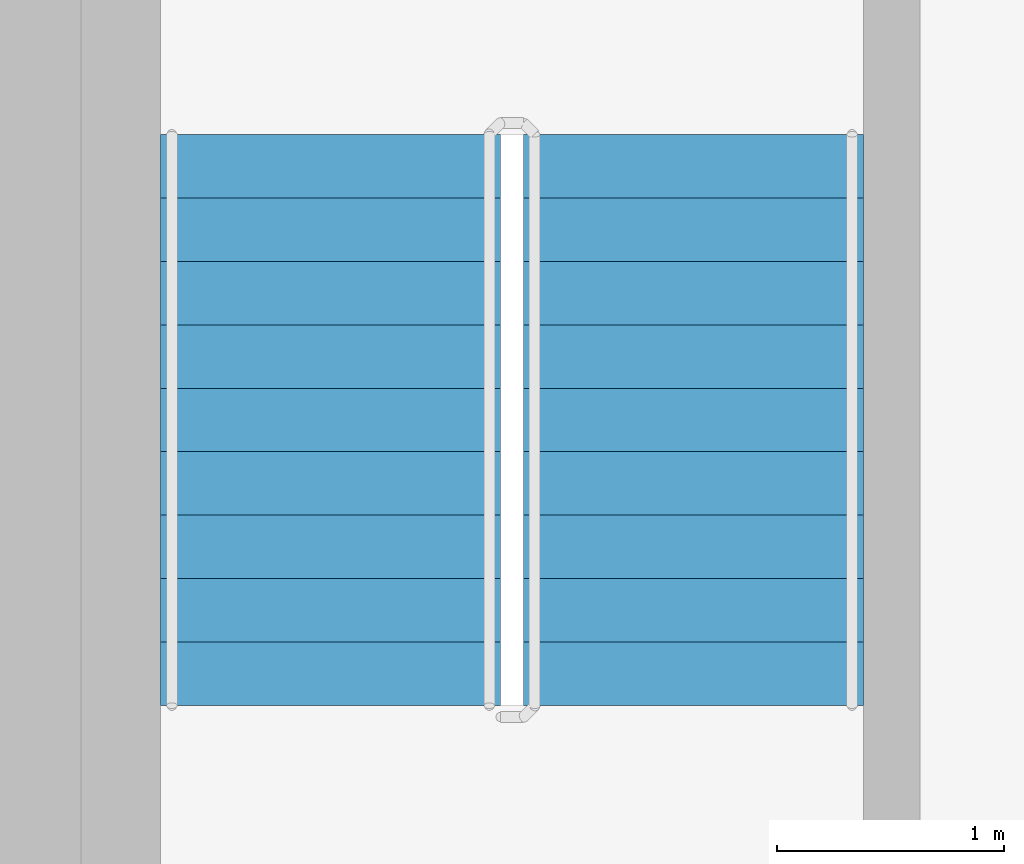
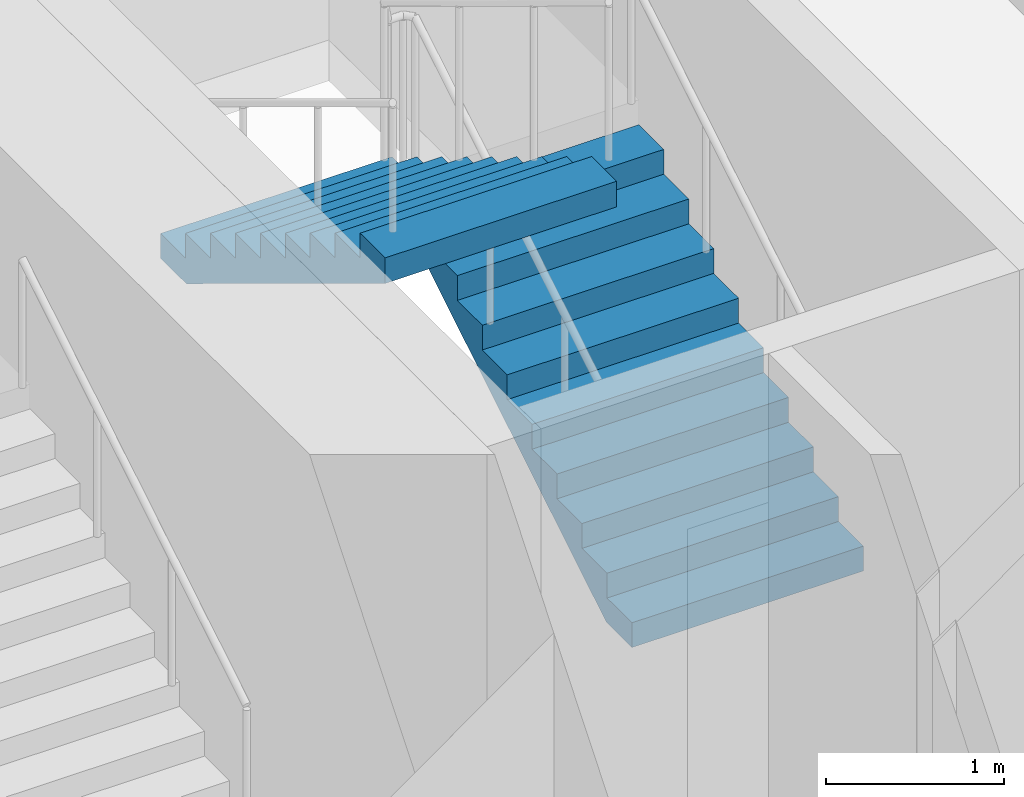
# One storey, part 14 of 23: 2 stair flights, 1 element without a shape of its own.
"""IFC4 building model written with IfcOpenShell, lengths in metres."""

from ifc_helpers import new_model, si_unit, direction, frame, origin, place, context, subcontext, project, spatial, triangles, source, transform, mapped, material, type_object, element, aggregate, save


model = new_model("IFC4")

# Units and contexts
model_context = context("Model", 3, precision=1e-05, world=origin(), true_north=direction((0.0, 1.0)))
body_context = subcontext(model_context, "Body", "Model", "MODEL_VIEW")
ifc_project = project(units=[si_unit("LENGTHUNIT", "METRE"), si_unit("AREAUNIT", "SQUARE_METRE"), si_unit("VOLUMEUNIT", "CUBIC_METRE"), si_unit("PLANEANGLEUNIT", "RADIAN"), si_unit("MASSUNIT", "GRAM", prefix="KILO")], contexts=[model_context])

# Site, building, storey
site_placement = place(None, origin())
site = spatial("IfcSite", under=ifc_project, at=site_placement, CompositionType="ELEMENT")
building_placement = place(site_placement, origin())
building = spatial("IfcBuilding", under=site, at=building_placement, Name="Kilnfold Tower and Market Hall", CompositionType="ELEMENT")
storey_placement = place(building_placement, frame((0.0, 0.0, 150.699951171875)))
storey = spatial("IfcBuildingStorey", under=building, at=storey_placement, Name="L34", CompositionType="ELEMENT", Elevation=150.699951171875)

# Stair, stair flights
ifc_material_1 = material(Name="Concrete C40/50", Category="concrete")
stair_type = type_object("IfcStairType", Name="CORE STAIR 1500", PredefinedType="HALF_TURN_STAIR", material=ifc_material_1)
stair_placement = place(storey_placement, origin())
stair = element("IfcStair", 1, at=stair_placement, inside=storey, type_object=stair_type, Name="L34 ST5", PredefinedType="HALF_TURN_STAIR")
ifc_material_2 = material(Name="Concrete C40/50", Category="concrete")
stair_flight_type = type_object("IfcStairFlightType", Name="CORE STAIR FLIGHT 1500", PredefinedType="STRAIGHT", material=ifc_material_2)
shared_shape = source(origin(), body_context, "Body", "Tessellation", [
    triangles([(0.0, 0.75, 0.0), (0.0, 0.65625, 0.0), (0.0, 0.5625, 0.0), (0.0, 0.46875, 0.0), (0.0, 0.375, 0.0), (0.0, 0.28125, 0.0), (0.0, 0.1875, 0.0), (0.0, 0.09375, 0.0), (0.0, 0.0, 0.0), (0.0, -0.09375, 0.0), (0.0, -0.1875, 0.0), (0.0, -0.28125, 0.0), (0.0, -0.375, 0.0), (0.0, -0.46875, 0.0), (0.0, -0.5625, 0.0), (0.0, -0.65625, 0.0), (0.0, -0.75, 0.0), (0.0, 0.75, 0.169921875), (0.0, 0.65625, 0.169921875), (0.0, 0.5625, 0.169921875), (0.0, 0.46875, 0.169921875), (0.0, 0.375, 0.169921875), (0.0, 0.28125, 0.169921875), (0.0, 0.1875, 0.169921875), (0.0, 0.09375, 0.169921875), (0.0, 0.0, 0.169921875), (0.0, -0.09375, 0.169921875), (0.0, -0.1875, 0.169921875), (0.0, -0.28125, 0.169921875), (0.0, -0.375, 0.169921875), (0.0, -0.46875, 0.169921875), (0.0, -0.5625, 0.169921875), (0.0, -0.65625, 0.169921875), (0.0, -0.75, 0.169921875), (0.280029296875, 0.75, 0.169921875), (0.280029296875, 0.65625, 0.169921875), (0.280029296875, 0.5625, 0.169921875), (0.280029296875, 0.46875, 0.169921875), (0.280029296875, 0.375, 0.169921875), (0.280029296875, 0.28125, 0.169921875), (0.280029296875, 0.1875, 0.169921875), (0.280029296875, 0.09375, 0.169921875), (0.280029296875, 0.0, 0.169921875), (0.280029296875, -0.09375, 0.169921875), (0.280029296875, -0.1875, 0.169921875), (0.280029296875, -0.28125, 0.169921875), (0.280029296875, -0.375, 0.169921875), (0.280029296875, -0.46875, 0.169921875), (0.280029296875, -0.5625, 0.169921875), (0.280029296875, -0.65625, 0.169921875), (0.280029296875, -0.75, 0.169921875), (0.280029296875, 0.75, 0.340087890625), (0.280029296875, 0.65625, 0.340087890625), (0.280029296875, 0.5625, 0.340087890625), (0.280029296875, 0.46875, 0.340087890625), (0.280029296875, 0.375, 0.340087890625), (0.280029296875, 0.28125, 0.340087890625), (0.280029296875, 0.1875, 0.340087890625), (0.280029296875, 0.09375, 0.340087890625), (0.280029296875, 0.0, 0.340087890625), (0.280029296875, -0.09375, 0.340087890625), (0.280029296875, -0.1875, 0.340087890625), (0.280029296875, -0.28125, 0.340087890625), (0.280029296875, -0.375, 0.340087890625), (0.280029296875, -0.46875, 0.340087890625), (0.280029296875, -0.5625, 0.340087890625), (0.280029296875, -0.65625, 0.340087890625), (0.280029296875, -0.75, 0.340087890625), (0.56005859375, 0.75, 0.340087890625), (0.56005859375, 0.65625, 0.340087890625), (0.56005859375, 0.5625, 0.340087890625), (0.56005859375, 0.46875, 0.340087890625), (0.56005859375, 0.375, 0.340087890625), (0.56005859375, 0.28125, 0.340087890625), (0.56005859375, 0.1875, 0.340087890625), (0.56005859375, 0.09375, 0.340087890625), (0.56005859375, 0.0, 0.340087890625), (0.56005859375, -0.09375, 0.340087890625), (0.56005859375, -0.1875, 0.340087890625), (0.56005859375, -0.28125, 0.340087890625), (0.56005859375, -0.375, 0.340087890625), (0.56005859375, -0.46875, 0.340087890625), (0.56005859375, -0.5625, 0.340087890625), (0.56005859375, -0.65625, 0.340087890625), (0.56005859375, -0.75, 0.340087890625), (0.56005859375, 0.75, 0.510009765625), (0.56005859375, 0.65625, 0.510009765625), (0.56005859375, 0.5625, 0.510009765625), (0.56005859375, 0.46875, 0.510009765625), (0.56005859375, 0.375, 0.510009765625), (0.56005859375, 0.28125, 0.510009765625), (0.56005859375, 0.1875, 0.510009765625), (0.56005859375, 0.09375, 0.510009765625), (0.56005859375, 0.0, 0.510009765625), (0.56005859375, -0.09375, 0.510009765625), (0.56005859375, -0.1875, 0.510009765625), (0.56005859375, -0.28125, 0.510009765625), (0.56005859375, -0.375, 0.510009765625), (0.56005859375, -0.46875, 0.510009765625), (0.56005859375, -0.5625, 0.510009765625), (0.56005859375, -0.65625, 0.510009765625), (0.56005859375, -0.75, 0.510009765625), (0.840087890625, 0.75, 0.510009765625), (0.840087890625, 0.65625, 0.510009765625), (0.840087890625, 0.5625, 0.510009765625), (0.840087890625, 0.46875, 0.510009765625), (0.840087890625, 0.375, 0.510009765625), (0.840087890625, 0.28125, 0.510009765625), (0.840087890625, 0.1875, 0.510009765625), (0.840087890625, 0.09375, 0.510009765625), (0.840087890625, 0.0, 0.510009765625), (0.840087890625, -0.09375, 0.510009765625), (0.840087890625, -0.1875, 0.510009765625), (0.840087890625, -0.28125, 0.510009765625), (0.840087890625, -0.375, 0.510009765625), (0.840087890625, -0.46875, 0.510009765625), (0.840087890625, -0.5625, 0.510009765625), (0.840087890625, -0.65625, 0.510009765625), (0.840087890625, -0.75, 0.510009765625), (0.840087890625, 0.75, 0.679931640625), (0.840087890625, 0.65625, 0.679931640625), (0.840087890625, 0.5625, 0.679931640625), (0.840087890625, 0.46875, 0.679931640625), (0.840087890625, 0.375, 0.679931640625), (0.840087890625, 0.28125, 0.679931640625), (0.840087890625, 0.1875, 0.679931640625), (0.840087890625, 0.09375, 0.679931640625), (0.840087890625, 0.0, 0.679931640625), (0.840087890625, -0.09375, 0.679931640625), (0.840087890625, -0.1875, 0.679931640625), (0.840087890625, -0.28125, 0.679931640625), (0.840087890625, -0.375, 0.679931640625), (0.840087890625, -0.46875, 0.679931640625), (0.840087890625, -0.5625, 0.679931640625), (0.840087890625, -0.65625, 0.679931640625), (0.840087890625, -0.75, 0.679931640625), (1.1201171875, 0.75, 0.679931640625), (1.1201171875, 0.65625, 0.679931640625), (1.1201171875, 0.5625, 0.679931640625), (1.1201171875, 0.46875, 0.679931640625), (1.1201171875, 0.375, 0.679931640625), (1.1201171875, 0.28125, 0.679931640625), (1.1201171875, 0.1875, 0.679931640625), (1.1201171875, 0.09375, 0.679931640625), (1.1201171875, 0.0, 0.679931640625), (1.1201171875, -0.09375, 0.679931640625), (1.1201171875, -0.1875, 0.679931640625), (1.1201171875, -0.28125, 0.679931640625), (1.1201171875, -0.375, 0.679931640625), (1.1201171875, -0.46875, 0.679931640625), (1.1201171875, -0.5625, 0.679931640625), (1.1201171875, -0.65625, 0.679931640625), (1.1201171875, -0.75, 0.679931640625), (1.1201171875, 0.75, 0.85009765625), (1.1201171875, 0.65625, 0.85009765625), (1.1201171875, 0.5625, 0.85009765625), (1.1201171875, 0.46875, 0.85009765625), (1.1201171875, 0.375, 0.85009765625), (1.1201171875, 0.28125, 0.85009765625), (1.1201171875, 0.1875, 0.85009765625), (1.1201171875, 0.09375, 0.85009765625), (1.1201171875, 0.0, 0.85009765625), (1.1201171875, -0.09375, 0.85009765625), (1.1201171875, -0.1875, 0.85009765625), (1.1201171875, -0.28125, 0.85009765625), (1.1201171875, -0.375, 0.85009765625), (1.1201171875, -0.46875, 0.85009765625), (1.1201171875, -0.5625, 0.85009765625), (1.1201171875, -0.65625, 0.85009765625), (1.1201171875, -0.75, 0.85009765625), (1.39990234375, 0.75, 0.85009765625), (1.39990234375, 0.65625, 0.85009765625), (1.39990234375, 0.5625, 0.85009765625), (1.39990234375, 0.46875, 0.85009765625), (1.39990234375, 0.375, 0.85009765625), (1.39990234375, 0.28125, 0.85009765625), (1.39990234375, 0.1875, 0.85009765625), (1.39990234375, 0.09375, 0.85009765625), (1.39990234375, 0.0, 0.85009765625), (1.39990234375, -0.09375, 0.85009765625), (1.39990234375, -0.1875, 0.85009765625), (1.39990234375, -0.28125, 0.85009765625), (1.39990234375, -0.375, 0.85009765625), (1.39990234375, -0.46875, 0.85009765625), (1.39990234375, -0.5625, 0.85009765625), (1.39990234375, -0.65625, 0.85009765625), (1.39990234375, -0.75, 0.85009765625), (1.39990234375, 0.75, 1.02001953125), (1.39990234375, 0.65625, 1.02001953125), (1.39990234375, 0.5625, 1.02001953125), (1.39990234375, 0.46875, 1.02001953125), (1.39990234375, 0.375, 1.02001953125), (1.39990234375, 0.28125, 1.02001953125), (1.39990234375, 0.1875, 1.02001953125), (1.39990234375, 0.09375, 1.02001953125), (1.39990234375, 0.0, 1.02001953125), (1.39990234375, -0.09375, 1.02001953125), (1.39990234375, -0.1875, 1.02001953125), (1.39990234375, -0.28125, 1.02001953125), (1.39990234375, -0.375, 1.02001953125), (1.39990234375, -0.46875, 1.02001953125), (1.39990234375, -0.5625, 1.02001953125), (1.39990234375, -0.65625, 1.02001953125), (1.39990234375, -0.75, 1.02001953125), (1.679931640625, 0.75, 1.02001953125), (1.679931640625, 0.65625, 1.02001953125), (1.679931640625, 0.5625, 1.02001953125), (1.679931640625, 0.46875, 1.02001953125), (1.679931640625, 0.375, 1.02001953125), (1.679931640625, 0.28125, 1.02001953125), (1.679931640625, 0.1875, 1.02001953125), (1.679931640625, 0.09375, 1.02001953125), (1.679931640625, 0.0, 1.02001953125), (1.679931640625, -0.09375, 1.02001953125), (1.679931640625, -0.1875, 1.02001953125), (1.679931640625, -0.28125, 1.02001953125), (1.679931640625, -0.375, 1.02001953125), (1.679931640625, -0.46875, 1.02001953125), (1.679931640625, -0.5625, 1.02001953125), (1.679931640625, -0.65625, 1.02001953125), (1.679931640625, -0.75, 1.02001953125), (1.679931640625, 0.75, 1.18994140625), (1.679931640625, 0.65625, 1.18994140625), (1.679931640625, 0.5625, 1.18994140625), (1.679931640625, 0.46875, 1.18994140625), (1.679931640625, 0.375, 1.18994140625), (1.679931640625, 0.28125, 1.18994140625), (1.679931640625, 0.1875, 1.18994140625), (1.679931640625, 0.09375, 1.18994140625), (1.679931640625, 0.0, 1.18994140625), (1.679931640625, -0.09375, 1.18994140625), (1.679931640625, -0.1875, 1.18994140625), (1.679931640625, -0.28125, 1.18994140625), (1.679931640625, -0.375, 1.18994140625), (1.679931640625, -0.46875, 1.18994140625), (1.679931640625, -0.5625, 1.18994140625), (1.679931640625, -0.65625, 1.18994140625), (1.679931640625, -0.75, 1.18994140625), (1.9599609375, 0.75, 1.18994140625), (1.9599609375, 0.65625, 1.18994140625), (1.9599609375, 0.5625, 1.18994140625), (1.9599609375, 0.46875, 1.18994140625), (1.9599609375, 0.375, 1.18994140625), (1.9599609375, 0.28125, 1.18994140625), (1.9599609375, 0.1875, 1.18994140625), (1.9599609375, 0.09375, 1.18994140625), (1.9599609375, 0.0, 1.18994140625), (1.9599609375, -0.09375, 1.18994140625), (1.9599609375, -0.1875, 1.18994140625), (1.9599609375, -0.28125, 1.18994140625), (1.9599609375, -0.375, 1.18994140625), (1.9599609375, -0.46875, 1.18994140625), (1.9599609375, -0.5625, 1.18994140625), (1.9599609375, -0.65625, 1.18994140625), (1.9599609375, -0.75, 1.18994140625), (1.9599609375, 0.75, 1.360107421875), (1.9599609375, 0.65625, 1.360107421875), (1.9599609375, 0.5625, 1.360107421875), (1.9599609375, 0.46875, 1.360107421875), (1.9599609375, 0.375, 1.360107421875), (1.9599609375, 0.28125, 1.360107421875), (1.9599609375, 0.1875, 1.360107421875), (1.9599609375, 0.09375, 1.360107421875), (1.9599609375, 0.0, 1.360107421875), (1.9599609375, -0.09375, 1.360107421875), (1.9599609375, -0.1875, 1.360107421875), (1.9599609375, -0.28125, 1.360107421875), (1.9599609375, -0.375, 1.360107421875), (1.9599609375, -0.46875, 1.360107421875), (1.9599609375, -0.5625, 1.360107421875), (1.9599609375, -0.65625, 1.360107421875), (1.9599609375, -0.75, 1.360107421875), (2.239990234375, 0.75, 1.360107421875), (2.239990234375, 0.65625, 1.360107421875), (2.239990234375, 0.5625, 1.360107421875), (2.239990234375, 0.46875, 1.360107421875), (2.239990234375, 0.375, 1.360107421875), (2.239990234375, 0.28125, 1.360107421875), (2.239990234375, 0.1875, 1.360107421875), (2.239990234375, 0.09375, 1.360107421875), (2.239990234375, 0.0, 1.360107421875), (2.239990234375, -0.09375, 1.360107421875), (2.239990234375, -0.1875, 1.360107421875), (2.239990234375, -0.28125, 1.360107421875), (2.239990234375, -0.375, 1.360107421875), (2.239990234375, -0.46875, 1.360107421875), (2.239990234375, -0.5625, 1.360107421875), (2.239990234375, -0.65625, 1.360107421875), (2.239990234375, -0.75, 1.360107421875), (2.239990234375, 0.75, 1.530029296875), (2.239990234375, 0.65625, 1.530029296875), (2.239990234375, 0.5625, 1.530029296875), (2.239990234375, 0.46875, 1.530029296875), (2.239990234375, 0.375, 1.530029296875), (2.239990234375, 0.28125, 1.530029296875), (2.239990234375, 0.1875, 1.530029296875), (2.239990234375, 0.09375, 1.530029296875), (2.239990234375, 0.0, 1.530029296875), (2.239990234375, -0.09375, 1.530029296875), (2.239990234375, -0.1875, 1.530029296875), (2.239990234375, -0.28125, 1.530029296875), (2.239990234375, -0.375, 1.530029296875), (2.239990234375, -0.46875, 1.530029296875), (2.239990234375, -0.5625, 1.530029296875), (2.239990234375, -0.65625, 1.530029296875), (2.239990234375, -0.75, 1.530029296875), (2.52001953125, 0.75, 1.530029296875), (2.52001953125, 0.65625, 1.530029296875), (2.52001953125, 0.5625, 1.530029296875), (2.52001953125, 0.46875, 1.530029296875), (2.52001953125, 0.375, 1.530029296875), (2.52001953125, 0.28125, 1.530029296875), (2.52001953125, 0.1875, 1.530029296875), (2.52001953125, 0.09375, 1.530029296875), (2.52001953125, 0.0, 1.530029296875), (2.52001953125, -0.09375, 1.530029296875), (2.52001953125, -0.1875, 1.530029296875), (2.52001953125, -0.28125, 1.530029296875), (2.52001953125, -0.375, 1.530029296875), (2.52001953125, -0.46875, 1.530029296875), (2.52001953125, -0.5625, 1.530029296875), (2.52001953125, -0.65625, 1.530029296875), (2.52001953125, -0.75, 1.530029296875), (2.52001953125, 0.75, 1.354736328125), (2.52001953125, 0.65625, 1.354736328125), (2.52001953125, 0.5625, 1.354736328125), (2.52001953125, 0.46875, 1.354736328125), (2.52001953125, 0.375, 1.354736328125), (2.52001953125, 0.28125, 1.354736328125), (2.52001953125, 0.1875, 1.354736328125), (2.52001953125, 0.09375, 1.354736328125), (2.52001953125, 0.0, 1.354736328125), (2.52001953125, -0.09375, 1.354736328125), (2.52001953125, -0.1875, 1.354736328125), (2.52001953125, -0.28125, 1.354736328125), (2.52001953125, -0.375, 1.354736328125), (2.52001953125, -0.46875, 1.354736328125), (2.52001953125, -0.5625, 1.354736328125), (2.52001953125, -0.65625, 1.354736328125), (2.52001953125, -0.75, 1.354736328125), (0.288818359375, 0.75, 0.0), (0.288818359375, 0.65625, 0.0), (0.288818359375, 0.5625, 0.0), (0.288818359375, 0.46875, 0.0), (0.288818359375, 0.375, 0.0), (0.288818359375, 0.28125, 0.0), (0.288818359375, 0.1875, 0.0), (0.288818359375, 0.09375, 0.0), (0.288818359375, 0.0, 0.0), (0.288818359375, -0.09375, 0.0), (0.288818359375, -0.1875, 0.0), (0.288818359375, -0.28125, 0.0), (0.288818359375, -0.375, 0.0), (0.288818359375, -0.46875, 0.0), (0.288818359375, -0.5625, 0.0), (0.288818359375, -0.65625, 0.0), (0.288818359375, -0.75, 0.0)], [[1, 324, 341], [17, 357, 340], [324, 290, 307], [340, 323, 306], [324, 273, 290], [340, 306, 289], [324, 256, 273], [340, 289, 272], [324, 239, 256], [340, 272, 255], [239, 205, 222], [255, 238, 221], [324, 205, 239], [340, 255, 221], [205, 171, 188], [221, 204, 187], [324, 171, 205], [340, 221, 187], [171, 137, 154], [187, 170, 153], [324, 137, 171], [340, 187, 153], [137, 103, 120], [153, 136, 119], [324, 103, 137], [340, 153, 119], [103, 69, 86], [119, 102, 85], [324, 69, 103], [340, 119, 85], [69, 35, 52], [85, 68, 51], [324, 35, 69], [340, 85, 51], [1, 35, 324], [17, 340, 51], [35, 1, 18], [51, 34, 17], [1, 19, 18], [1, 2, 19], [2, 20, 19], [2, 3, 20], [3, 21, 20], [3, 4, 21], [4, 22, 21], [4, 5, 22], [5, 23, 22], [5, 6, 23], [6, 24, 23], [6, 7, 24], [7, 25, 24], [7, 8, 25], [8, 26, 25], [8, 9, 26], [9, 27, 26], [9, 10, 27], [10, 28, 27], [10, 11, 28], [11, 29, 28], [11, 12, 29], [12, 30, 29], [12, 13, 30], [13, 31, 30], [13, 14, 31], [14, 32, 31], [14, 15, 32], [15, 33, 32], [15, 16, 33], [16, 34, 33], [16, 17, 34], [18, 36, 35], [18, 19, 36], [19, 37, 36], [19, 20, 37], [20, 38, 37], [20, 21, 38], [21, 39, 38], [21, 22, 39], [22, 40, 39], [22, 23, 40], [23, 41, 40], [23, 24, 41], [24, 42, 41], [24, 25, 42], [25, 43, 42], [25, 26, 43], [26, 44, 43], [26, 27, 44], [27, 45, 44], [27, 28, 45], [28, 46, 45], [28, 29, 46], [29, 47, 46], [29, 30, 47], [30, 48, 47], [30, 31, 48], [31, 49, 48], [31, 32, 49], [32, 50, 49], [32, 33, 50], [33, 51, 50], [33, 34, 51], [35, 53, 52], [35, 36, 53], [36, 54, 53], [36, 37, 54], [37, 55, 54], [37, 38, 55], [38, 56, 55], [38, 39, 56], [39, 57, 56], [39, 40, 57], [40, 58, 57], [40, 41, 58], [41, 59, 58], [41, 42, 59], [42, 60, 59], [42, 43, 60], [43, 61, 60], [43, 44, 61], [44, 62, 61], [44, 45, 62], [45, 63, 62], [45, 46, 63], [46, 64, 63], [46, 47, 64], [47, 65, 64], [47, 48, 65], [48, 66, 65], [48, 49, 66], [49, 67, 66], [49, 50, 67], [50, 68, 67], [50, 51, 68], [52, 70, 69], [52, 53, 70], [53, 71, 70], [53, 54, 71], [54, 72, 71], [54, 55, 72], [55, 73, 72], [55, 56, 73], [56, 74, 73], [56, 57, 74], [57, 75, 74], [57, 58, 75], [58, 76, 75], [58, 59, 76], [59, 77, 76], [59, 60, 77], [60, 78, 77], [60, 61, 78], [61, 79, 78], [61, 62, 79], [62, 80, 79], [62, 63, 80], [63, 81, 80], [63, 64, 81], [64, 82, 81], [64, 65, 82], [65, 83, 82], [65, 66, 83], [66, 84, 83], [66, 67, 84], [67, 85, 84], [67, 68, 85], [69, 87, 86], [69, 70, 87], [70, 88, 87], [70, 71, 88], [71, 89, 88], [71, 72, 89], [72, 90, 89], [72, 73, 90], [73, 91, 90], [73, 74, 91], [74, 92, 91], [74, 75, 92], [75, 93, 92], [75, 76, 93], [76, 94, 93], [76, 77, 94], [77, 95, 94], [77, 78, 95], [78, 96, 95], [78, 79, 96], [79, 97, 96], [79, 80, 97], [80, 98, 97], [80, 81, 98], [81, 99, 98], [81, 82, 99], [82, 100, 99], [82, 83, 100], [83, 101, 100], [83, 84, 101], [84, 102, 101], [84, 85, 102], [86, 104, 103], [86, 87, 104], [87, 105, 104], [87, 88, 105], [88, 106, 105], [88, 89, 106], [89, 107, 106], [89, 90, 107], [90, 108, 107], [90, 91, 108], [91, 109, 108], [91, 92, 109], [92, 110, 109], [92, 93, 110], [93, 111, 110], [93, 94, 111], [94, 112, 111], [94, 95, 112], [95, 113, 112], [95, 96, 113], [96, 114, 113], [96, 97, 114], [97, 115, 114], [97, 98, 115], [98, 116, 115], [98, 99, 116], [99, 117, 116], [99, 100, 117], [100, 118, 117], [100, 101, 118], [101, 119, 118], [101, 102, 119], [103, 121, 120], [103, 104, 121], [104, 122, 121], [104, 105, 122], [105, 123, 122], [105, 106, 123], [106, 124, 123], [106, 107, 124], [107, 125, 124], [107, 108, 125], [108, 126, 125], [108, 109, 126], [109, 127, 126], [109, 110, 127], [110, 128, 127], [110, 111, 128], [111, 129, 128], [111, 112, 129], [112, 130, 129], [112, 113, 130], [113, 131, 130], [113, 114, 131], [114, 132, 131], [114, 115, 132], [115, 133, 132], [115, 116, 133], [116, 134, 133], [116, 117, 134], [117, 135, 134], [117, 118, 135], [118, 136, 135], [118, 119, 136], [120, 138, 137], [120, 121, 138], [121, 139, 138], [121, 122, 139], [122, 140, 139], [122, 123, 140], [123, 141, 140], [123, 124, 141], [124, 142, 141], [124, 125, 142], [125, 143, 142], [125, 126, 143], [126, 144, 143], [126, 127, 144], [127, 145, 144], [127, 128, 145], [128, 146, 145], [128, 129, 146], [129, 147, 146], [129, 130, 147], [130, 148, 147], [130, 131, 148], [131, 149, 148], [131, 132, 149], [132, 150, 149], [132, 133, 150], [133, 151, 150], [133, 134, 151], [134, 152, 151], [134, 135, 152], [135, 153, 152], [135, 136, 153], [137, 155, 154], [137, 138, 155], [138, 156, 155], [138, 139, 156], [139, 157, 156], [139, 140, 157], [140, 158, 157], [140, 141, 158], [141, 159, 158], [141, 142, 159], [142, 160, 159], [142, 143, 160], [143, 161, 160], [143, 144, 161], [144, 162, 161], [144, 145, 162], [145, 163, 162], [145, 146, 163], [146, 164, 163], [146, 147, 164], [147, 165, 164], [147, 148, 165], [148, 166, 165], [148, 149, 166], [149, 167, 166], [149, 150, 167], [150, 168, 167], [150, 151, 168], [151, 169, 168], [151, 152, 169], [152, 170, 169], [152, 153, 170], [154, 172, 171], [154, 155, 172], [155, 173, 172], [155, 156, 173], [156, 174, 173], [156, 157, 174], [157, 175, 174], [157, 158, 175], [158, 176, 175], [158, 159, 176], [159, 177, 176], [159, 160, 177], [160, 178, 177], [160, 161, 178], [161, 179, 178], [161, 162, 179], [162, 180, 179], [162, 163, 180], [163, 181, 180], [163, 164, 181], [164, 182, 181], [164, 165, 182], [165, 183, 182], [165, 166, 183], [166, 184, 183], [166, 167, 184], [167, 185, 184], [167, 168, 185], [168, 186, 185], [168, 169, 186], [169, 187, 186], [169, 170, 187], [171, 189, 188], [171, 172, 189], [172, 190, 189], [172, 173, 190], [173, 191, 190], [173, 174, 191], [174, 192, 191], [174, 175, 192], [175, 193, 192], [175, 176, 193], [176, 194, 193], [176, 177, 194], [177, 195, 194], [177, 178, 195], [178, 196, 195], [178, 179, 196], [179, 197, 196], [179, 180, 197], [180, 198, 197], [180, 181, 198], [181, 199, 198], [181, 182, 199], [182, 200, 199], [182, 183, 200], [183, 201, 200], [183, 184, 201], [184, 202, 201], [184, 185, 202], [185, 203, 202], [185, 186, 203], [186, 204, 203], [186, 187, 204], [188, 206, 205], [188, 189, 206], [189, 207, 206], [189, 190, 207], [190, 208, 207], [190, 191, 208], [191, 209, 208], [191, 192, 209], [192, 210, 209], [192, 193, 210], [193, 211, 210], [193, 194, 211], [194, 212, 211], [194, 195, 212], [195, 213, 212], [195, 196, 213], [196, 214, 213], [196, 197, 214], [197, 215, 214], [197, 198, 215], [198, 216, 215], [198, 199, 216], [199, 217, 216], [199, 200, 217], [200, 218, 217], [200, 201, 218], [201, 219, 218], [201, 202, 219], [202, 220, 219], [202, 203, 220], [203, 221, 220], [203, 204, 221], [205, 223, 222], [205, 206, 223], [206, 224, 223], [206, 207, 224], [207, 225, 224], [207, 208, 225], [208, 226, 225], [208, 209, 226], [209, 227, 226], [209, 210, 227], [210, 228, 227], [210, 211, 228], [211, 229, 228], [211, 212, 229], [212, 230, 229], [212, 213, 230], [213, 231, 230], [213, 214, 231], [214, 232, 231], [214, 215, 232], [215, 233, 232], [215, 216, 233], [216, 234, 233], [216, 217, 234], [217, 235, 234], [217, 218, 235], [218, 236, 235], [218, 219, 236], [219, 237, 236], [219, 220, 237], [220, 238, 237], [220, 221, 238], [222, 240, 239], [222, 223, 240], [223, 241, 240], [223, 224, 241], [224, 242, 241], [224, 225, 242], [225, 243, 242], [225, 226, 243], [226, 244, 243], [226, 227, 244], [227, 245, 244], [227, 228, 245], [228, 246, 245], [228, 229, 246], [229, 247, 246], [229, 230, 247], [230, 248, 247], [230, 231, 248], [231, 249, 248], [231, 232, 249], [232, 250, 249], [232, 233, 250], [233, 251, 250], [233, 234, 251], [234, 252, 251], [234, 235, 252], [235, 253, 252], [235, 236, 253], [236, 254, 253], [236, 237, 254], [237, 255, 254], [237, 238, 255], [239, 257, 256], [239, 240, 257], [240, 258, 257], [240, 241, 258], [241, 259, 258], [241, 242, 259], [242, 260, 259], [242, 243, 260], [243, 261, 260], [243, 244, 261], [244, 262, 261], [244, 245, 262], [245, 263, 262], [245, 246, 263], [246, 264, 263], [246, 247, 264], [247, 265, 264], [247, 248, 265], [248, 266, 265], [248, 249, 266], [249, 267, 266], [249, 250, 267], [250, 268, 267], [250, 251, 268], [251, 269, 268], [251, 252, 269], [252, 270, 269], [252, 253, 270], [253, 271, 270], [253, 254, 271], [254, 272, 271], [254, 255, 272], [256, 274, 273], [256, 257, 274], [257, 275, 274], [257, 258, 275], [258, 276, 275], [258, 259, 276], [259, 277, 276], [259, 260, 277], [260, 278, 277], [260, 261, 278], [261, 279, 278], [261, 262, 279], [262, 280, 279], [262, 263, 280], [263, 281, 280], [263, 264, 281], [264, 282, 281], [264, 265, 282], [265, 283, 282], [265, 266, 283], [266, 284, 283], [266, 267, 284], [267, 285, 284], [267, 268, 285], [268, 286, 285], [268, 269, 286], [269, 287, 286], [269, 270, 287], [270, 288, 287], [270, 271, 288], [271, 289, 288], [271, 272, 289], [273, 291, 290], [273, 274, 291], [274, 292, 291], [274, 275, 292], [275, 293, 292], [275, 276, 293], [276, 294, 293], [276, 277, 294], [277, 295, 294], [277, 278, 295], [278, 296, 295], [278, 279, 296], [279, 297, 296], [279, 280, 297], [280, 298, 297], [280, 281, 298], [281, 299, 298], [281, 282, 299], [282, 300, 299], [282, 283, 300], [283, 301, 300], [283, 284, 301], [284, 302, 301], [284, 285, 302], [285, 303, 302], [285, 286, 303], [286, 304, 303], [286, 287, 304], [287, 305, 304], [287, 288, 305], [288, 306, 305], [288, 289, 306], [290, 308, 307], [290, 291, 308], [291, 309, 308], [291, 292, 309], [292, 310, 309], [292, 293, 310], [293, 311, 310], [293, 294, 311], [294, 312, 311], [294, 295, 312], [295, 313, 312], [295, 296, 313], [296, 314, 313], [296, 297, 314], [297, 315, 314], [297, 298, 315], [298, 316, 315], [298, 299, 316], [299, 317, 316], [299, 300, 317], [300, 318, 317], [300, 301, 318], [301, 319, 318], [301, 302, 319], [302, 320, 319], [302, 303, 320], [303, 321, 320], [303, 304, 321], [304, 322, 321], [304, 305, 322], [305, 323, 322], [305, 306, 323], [307, 325, 324], [307, 308, 325], [308, 326, 325], [308, 309, 326], [309, 327, 326], [309, 310, 327], [310, 328, 327], [310, 311, 328], [311, 329, 328], [311, 312, 329], [312, 330, 329], [312, 313, 330], [313, 331, 330], [313, 314, 331], [314, 332, 331], [314, 315, 332], [315, 333, 332], [315, 316, 333], [316, 334, 333], [316, 317, 334], [317, 335, 334], [317, 318, 335], [318, 336, 335], [318, 319, 336], [319, 337, 336], [319, 320, 337], [320, 338, 337], [320, 321, 338], [321, 339, 338], [321, 322, 339], [322, 340, 339], [322, 323, 340], [324, 342, 341], [324, 325, 342], [325, 343, 342], [325, 326, 343], [326, 344, 343], [326, 327, 344], [327, 345, 344], [327, 328, 345], [328, 346, 345], [328, 329, 346], [329, 347, 346], [329, 330, 347], [330, 348, 347], [330, 331, 348], [331, 349, 348], [331, 332, 349], [332, 350, 349], [332, 333, 350], [333, 351, 350], [333, 334, 351], [334, 352, 351], [334, 335, 352], [335, 353, 352], [335, 336, 353], [336, 354, 353], [336, 337, 354], [337, 355, 354], [337, 338, 355], [338, 356, 355], [338, 339, 356], [339, 357, 356], [339, 340, 357], [341, 2, 1], [341, 342, 2], [342, 3, 2], [342, 343, 3], [343, 4, 3], [343, 344, 4], [344, 5, 4], [344, 345, 5], [345, 6, 5], [345, 346, 6], [346, 7, 6], [346, 347, 7], [347, 8, 7], [347, 348, 8], [348, 9, 8], [348, 349, 9], [349, 10, 9], [349, 350, 10], [350, 11, 10], [350, 351, 11], [351, 12, 11], [351, 352, 12], [352, 13, 12], [352, 353, 13], [353, 14, 13], [353, 354, 14], [354, 15, 14], [354, 355, 15], [355, 16, 15], [355, 356, 16], [356, 17, 16], [356, 357, 17]], closed=True),
])
stair_flight_1_placement = place(storey_placement, frame((20.699951171875, 11.5, 0.0), z_axis=(0.0, 0.0, 1.0), x_axis=(0.0, 1.0, 0.0)))
stair_flight_1 = element("IfcStairFlight", 2, at=stair_flight_1_placement, type_object=stair_flight_type, Name="ST5 flight 1", NumberOfRisers=10, NumberOfTreads=9, PredefinedType="STRAIGHT", RiserHeight=0.17, TreadLength=0.28, context=body_context, shape_type="MappedRepresentation", body=[
    mapped(shared_shape, transform((0.0, 0.0, 0.0))),
])
stair_flight_2_placement = place(storey_placement, frame((19.10009765625, 14.02001953125, 1.699951171875), z_axis=(0.0, 0.0, 1.0), x_axis=(0.0, -1.0, 0.0)))
stair_flight_2 = element("IfcStairFlight", 3, at=stair_flight_2_placement, type_object=stair_flight_type, Name="ST5 flight 2", NumberOfRisers=10, NumberOfTreads=9, PredefinedType="STRAIGHT", RiserHeight=0.17, TreadLength=0.28, context=body_context, shape_type="MappedRepresentation", body=[
    mapped(shared_shape, transform((0.0, 0.0, 0.0))),
])
aggregate(stair, [stair_flight_1, stair_flight_2])

save(model, "model.ifc")
